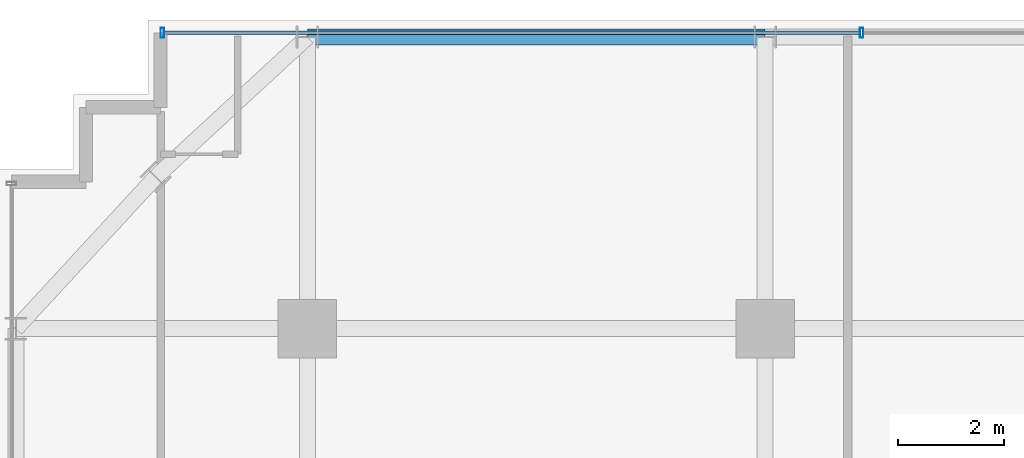
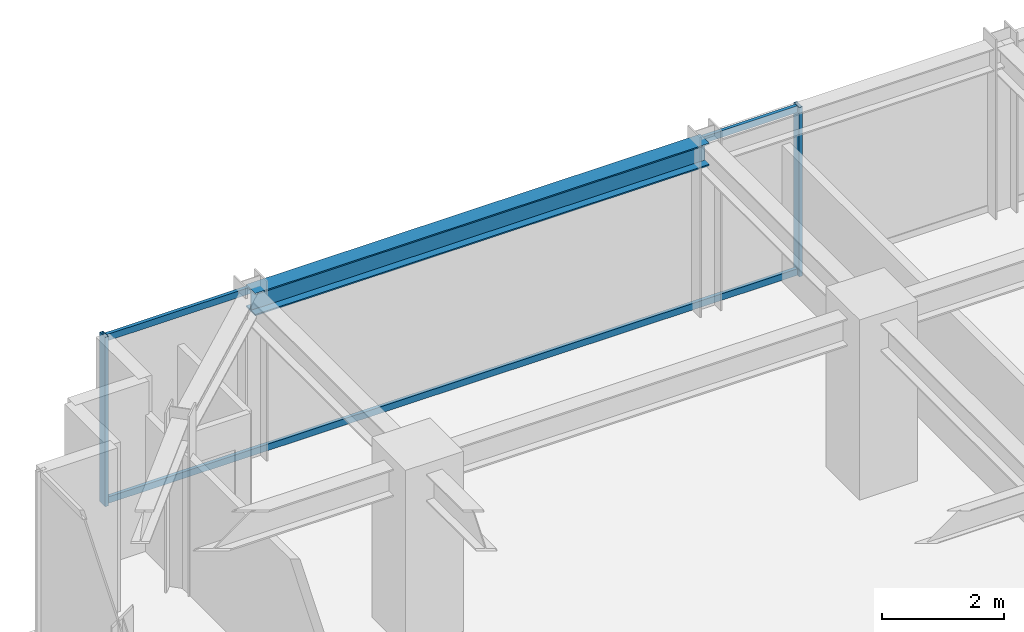
# One storey, part 17 of 31: 4 members, 1 beam, 1 element without a shape of its own.
"""IFC4 building model written with IfcOpenShell, lengths in metres."""

from ifc_helpers import new_model, si_unit, direction, frame, origin, origin_2d, place, context, subcontext, project, spatial, hollow_rectangle, i_section, extrude, source, transform, mapped, material, material_profile, profile_set, type_object, element, aggregate, save


model = new_model("IFC4")

# Units and contexts
model_context = context("Model", 3, precision=1e-05, world=origin(), true_north=direction((0.0, 1.0)))
body_context = subcontext(model_context, "Body", "Model", "MODEL_VIEW")
ifc_project = project(units=[si_unit("LENGTHUNIT", "METRE"), si_unit("AREAUNIT", "SQUARE_METRE"), si_unit("VOLUMEUNIT", "CUBIC_METRE"), si_unit("PLANEANGLEUNIT", "RADIAN"), si_unit("MASSUNIT", "GRAM", prefix="KILO")], contexts=[model_context])

# Site, building, storey
site_placement = place(None, origin())
site = spatial("IfcSite", under=ifc_project, at=site_placement, CompositionType="ELEMENT")
building_placement = place(site_placement, origin())
building = spatial("IfcBuilding", under=site, at=building_placement, Name="Nahalor Promenade Grand Hotel", CompositionType="ELEMENT")
storey_placement = place(building_placement, frame((0.0, 0.0, 192.800048828125)))
storey = spatial("IfcBuildingStorey", under=building, at=storey_placement, Name="L49", CompositionType="ELEMENT", Elevation=192.800048828125)

# Beam
ifc_material_1 = material(Name="Steel S355JR", Category="steel")
ifc_material_profile_1 = material_profile(ifc_material_1, i_section(OverallWidth=0.3, OverallDepth=0.45, WebThickness=0.014, FlangeThickness=0.026, at=origin_2d()), Name="HEB 450")
ifc_profile_set_1 = profile_set([ifc_material_profile_1], Name="Steel S355JR")
beam_type = type_object("IfcBeamType", Name="Beam-Spandrel-HEB450", PredefinedType="SPANDREL", material=ifc_profile_set_1)
shared_shape_1 = source(origin(), body_context, "Body", "SweptSolid", [
    extrude(i_section(OverallWidth=0.3, OverallDepth=0.45, WebThickness=0.014, FlangeThickness=0.026, at=origin_2d()), origin(), (0.0, 0.0, 1.0), 8.60009765625),
])
beam_placement = place(storey_placement, frame((-17.0, 22.47998046875, 3.1650390625), z_axis=(1.0, 0.0, 0.0), x_axis=(0.0, 1.0, 0.0)))
element("IfcBeam", 1, at=beam_placement, inside=storey, type_object=beam_type, Name="BM-L49-SP-N-0", PredefinedType="SPANDREL", context=body_context, shape_type="MappedRepresentation", body=[
    mapped(shared_shape_1, transform((0.0, 0.0, 0.0), scale=1.0)),
])

# Curtain wall, members
ifc_material_2 = material(Name="Anodised Bronze Aluminium EN AW-6063 T6", Category="aluminium")
curtain_wall_type = type_object("IfcCurtainWallType", Name="CW2 Typical Hotel Flush Bronze Unitised Curtain Wall", PredefinedType="USERDEFINED", material=ifc_material_2)
curtain_wall_placement = place(storey_placement, origin())
curtain_wall = element("IfcCurtainWall", 2, at=curtain_wall_placement, inside=storey, type_object=curtain_wall_type, Name="L49 Curtain Wall CW-L49-N-1", ObjectType="UNITISED_CURTAIN_WALL", PredefinedType="USERDEFINED")
ifc_material_profile_2 = material_profile(ifc_material_2, hollow_rectangle(XDim=0.065, YDim=0.18, WallThickness=0.004, at=origin_2d()), Name="CWM 65x180x4")
ifc_profile_set_2 = profile_set([ifc_material_profile_2], Name="Anodised Bronze Aluminium EN AW-6063 T6")
member_type_1 = type_object("IfcMemberType", Name="CWM2 Typical Bronze Mullion 65x180", PredefinedType="MULLION", material=ifc_profile_set_2)
shared_shape_2 = source(origin(), body_context, "Body", "SweptSolid", [
    extrude(hollow_rectangle(XDim=0.065, YDim=0.18, WallThickness=0.004, at=origin_2d()), origin(), (0.0, 0.0, 1.0), 3.389892578125),
])
member_1_placement = place(storey_placement, frame((-19.7275390625, 22.56005859375, 0.0), z_axis=(0.0, 0.0, 1.0), x_axis=(1.0, 0.0, 0.0)))
member_1 = element("IfcMember", 3, at=member_1_placement, type_object=member_type_1, Name="CW-L49-N-1 Mullion 0", PredefinedType="MULLION", context=body_context, shape_type="MappedRepresentation", body=[
    mapped(shared_shape_2, transform((0.0, 0.0, 0.0), scale=1.0)),
])
member_2_placement = place(storey_placement, frame((-6.586669921875, 22.56005859375, 0.0), z_axis=(0.0, 0.0, 1.0), x_axis=(1.0, 0.0, 0.0)))
member_2 = element("IfcMember", 4, at=member_2_placement, type_object=member_type_1, Name="CW-L49-N-1 Mullion 1", PredefinedType="MULLION", context=body_context, shape_type="MappedRepresentation", body=[
    mapped(shared_shape_2, transform((0.0, 0.0, 0.0), scale=1.0)),
])
ifc_material_profile_3 = material_profile(ifc_material_2, hollow_rectangle(XDim=0.065, YDim=0.13, WallThickness=0.004, at=origin_2d()), Name="CWT 65x130x4")
ifc_profile_set_3 = profile_set([ifc_material_profile_3], Name="Anodised Bronze Aluminium EN AW-6063 T6")
member_type_2 = type_object("IfcMemberType", Name="CWT2 Typical Bronze Transom 65x130", PredefinedType="USERDEFINED", material=ifc_profile_set_3)
shared_shape_3 = source(origin(), body_context, "Body", "SweptSolid", [
    extrude(hollow_rectangle(XDim=0.065, YDim=0.13, WallThickness=0.004, at=origin_2d()), origin(), (0.0, 0.0, 1.0), 13.075927734375),
])
member_3_placement = place(storey_placement, frame((-19.695068359375, 22.56005859375, 0.06494140625), z_axis=(1.0, 0.0, 0.0), x_axis=(0.0, 1.0, 0.0)))
member_3 = element("IfcMember", 5, at=member_3_placement, type_object=member_type_2, Name="CW-L49-N-1 Transom 0-0", ObjectType="TRANSOM", PredefinedType="USERDEFINED", context=body_context, shape_type="MappedRepresentation", body=[
    mapped(shared_shape_3, transform((0.0, 0.0, 0.0), scale=1.0)),
])
member_4_placement = place(storey_placement, frame((-19.695068359375, 22.56005859375, 3.324951171875), z_axis=(1.0, 0.0, 0.0), x_axis=(0.0, 1.0, 0.0)))
member_4 = element("IfcMember", 6, at=member_4_placement, type_object=member_type_2, Name="CW-L49-N-1 Transom 0-1", ObjectType="TRANSOM", PredefinedType="USERDEFINED", context=body_context, shape_type="MappedRepresentation", body=[
    mapped(shared_shape_3, transform((0.0, 0.0, 0.0), scale=1.0)),
])
aggregate(curtain_wall, [member_1, member_2, member_3, member_4])

save(model, "model.ifc")
